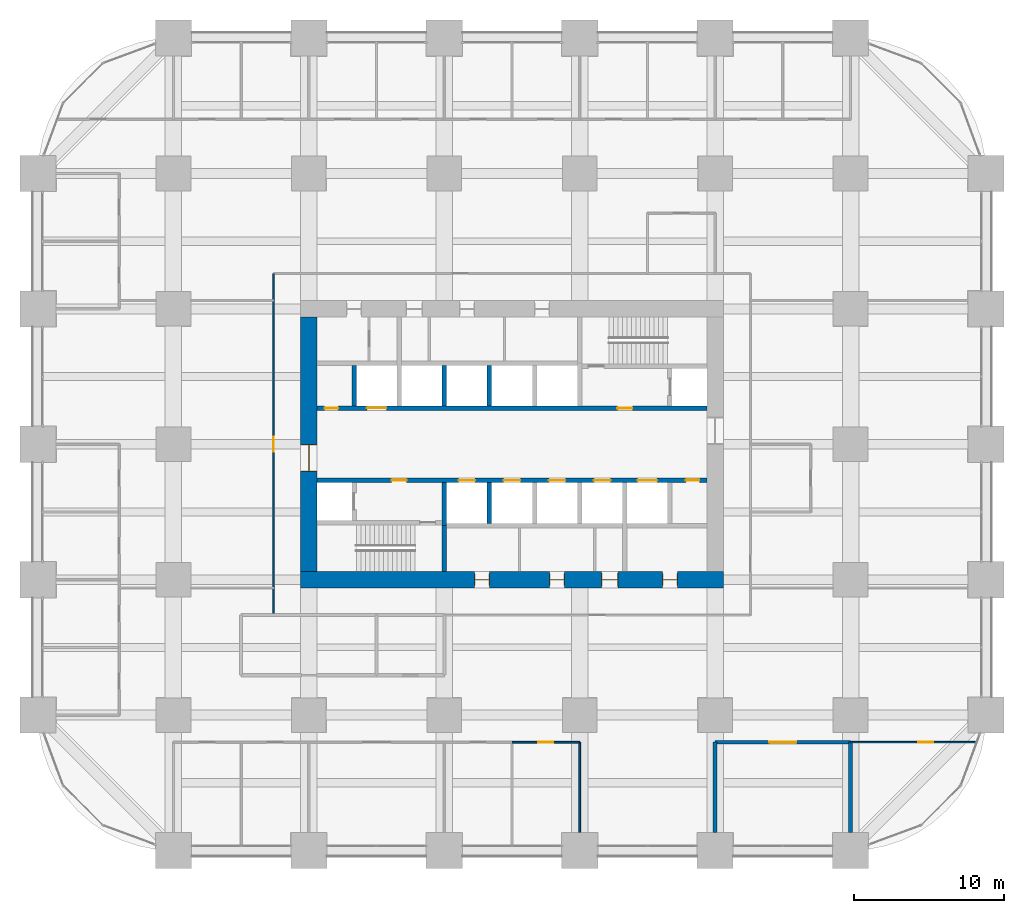
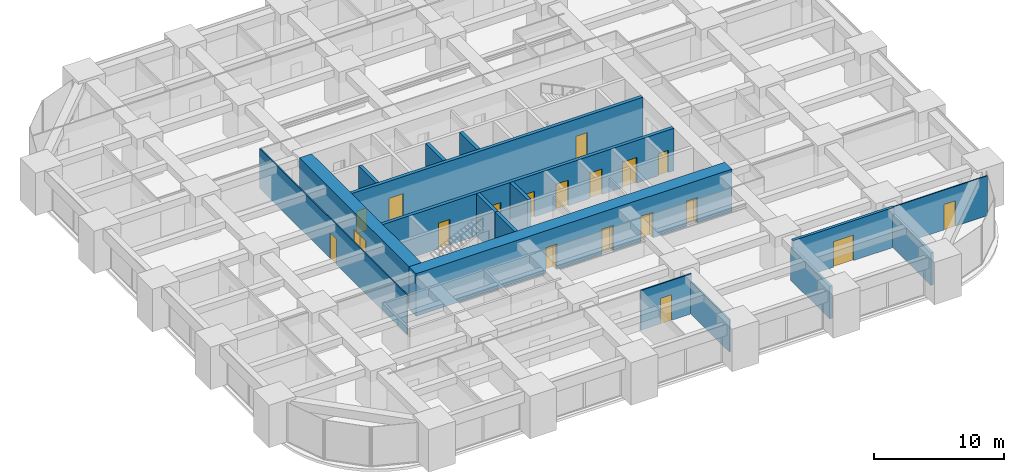
# One storey, part 40 of 44: 19 doors, 17 walls, 19 openings.
"""IFC4 building model written with IfcOpenShell, lengths in metres."""

from ifc_helpers import new_model, si_unit, direction, frame, frame_2d, origin, place, context, subcontext, project, spatial, rectangle, extrude, material, layer, layer_set, type_object, element, fill, save


model = new_model("IFC4")

# Units and contexts
model_context = context("Model", 3, precision=1e-05, world=origin(), true_north=direction((0.0, 1.0)))
body_context = subcontext(model_context, "Body", "Model", "MODEL_VIEW")
ifc_project = project(units=[si_unit("LENGTHUNIT", "METRE"), si_unit("AREAUNIT", "SQUARE_METRE"), si_unit("VOLUMEUNIT", "CUBIC_METRE"), si_unit("PLANEANGLEUNIT", "RADIAN"), si_unit("MASSUNIT", "GRAM", prefix="KILO")], contexts=[model_context])

# Site, building, storey
site_placement = place(None, origin())
site = spatial("IfcSite", under=ifc_project, at=site_placement, CompositionType="ELEMENT")
building_placement = place(site_placement, origin())
building = spatial("IfcBuilding", under=site, at=building_placement, Name="Zorevar Civic Tower", CompositionType="ELEMENT")
storey_placement = place(building_placement, frame((0.0, 0.0, 35.800048828125)))
storey = spatial("IfcBuildingStorey", under=building, at=storey_placement, Name="L08", CompositionType="ELEMENT", Elevation=35.800048828125)

# Wall, opening, door
ifc_material_1 = material(Name="Twin-stud acoustic wall, gypsum board")
ifc_layer_1 = layer(ifc_material_1, 0.25)
ifc_layer_set_1 = layer_set([ifc_layer_1], Name="Acoustic wall 250")
wall_type_1 = type_object("IfcWallType", Name="Acoustic wall 250", PredefinedType="PARTITIONING", material=ifc_layer_set_1)
wall_1_placement = place(storey_placement, frame((45.0, 7.199951171875, 0.0), z_axis=(0.0, 0.0, 1.0), x_axis=(1.0, 0.0, 0.0)))
wall_1 = element("IfcWall", 1, at=wall_1_placement, inside=storey, type_object=wall_type_1, Name="Acoustic wall 250 L08", PredefinedType="PARTITIONING", context=body_context, shape_type="SweptSolid", body=[
    extrude(rectangle(XDim=9.0, YDim=0.25, at=frame_2d((4.5, 0.0))), origin(), (0.0, 0.0, 1.0), 3.75),
])
opening_1_placement = place(wall_1_placement, frame((3.60009765625, 0.0, 0.0)))
opening_1 = element("IfcOpeningElement", 2, at=opening_1_placement, cuts=wall_1, Name="Opening L08.17", PredefinedType="OPENING", context=body_context, shape_type="SweptSolid", body=[
    extrude(rectangle(XDim=1.800048828125, YDim=2.39990234375, at=frame_2d((0.89990234375, 1.199951171875))), frame((0.0, 0.135009765625, 0.0), z_axis=(0.0, -1.0, 0.0), x_axis=(1.0, 0.0, 0.0)), (0.0, 0.0, 1.0), 0.27001953125),
])
ifc_material_2 = material(Name="Steel door set", Category="steel")
door_type_1 = type_object("IfcDoorType", Name="Door D2 1800x2400", OperationType="DOUBLE_DOOR_SINGLE_SWING", PredefinedType="DOOR", material=ifc_material_2)
door_1_placement = place(opening_1_placement, origin())
door_1 = element("IfcDoor", 3, at=door_1_placement, inside=storey, type_object=door_type_1, Name="Door L08 D1", OperationType="DOUBLE_DOOR_SINGLE_SWING", OverallHeight=2.39990234375, OverallWidth=1.800048828125, PredefinedType="DOOR", context=body_context, shape_type="SweptSolid", body=[
    extrude(rectangle(XDim=1.800048828125, YDim=2.39990234375, at=frame_2d((0.89990234375, 1.199951171875))), frame((0.0, 0.02490234375, 0.0), z_axis=(0.0, -1.0, 0.0), x_axis=(1.0, 0.0, 0.0)), (0.0, 0.0, 1.0), 0.050048828125),
])
fill(opening_1, door_1)

# Walls
for number, where, z_axis, x_axis, name in (
    (4, (45.0, 1.199951171875, 0.0), (0.0, 0.0, 1.0), (0.0, 1.0, 0.0), "Acoustic wall 250 L08"),
    (5, (54.0, 1.199951171875, 0.0), (0.0, 0.0, 1.0), (0.0, 1.0, 0.0), "Acoustic wall 250 L08"),
):
    element("IfcWall", number, at=place(storey_placement, frame(where, z_axis=z_axis, x_axis=x_axis)), inside=storey, type_object=wall_type_1, Name=name, PredefinedType="PARTITIONING", context=body_context, shape_type="SweptSolid", body=[
        extrude(rectangle(XDim=6.0, YDim=0.25, at=frame_2d((3.0, 0.0))), origin(), (0.0, 0.0, 1.0), 3.050048828125),
    ])

# Wall, openings, doors
ifc_material_3 = material(Name="Concrete C50/60", Category="concrete")
ifc_layer_2 = layer(ifc_material_3, 1.10009765625)
ifc_layer_set_2 = layer_set([ifc_layer_2], Name="Core wall 1100")
wall_type_2 = type_object("IfcWallType", Name="Core wall 1100", PredefinedType="SHEAR", material=ifc_layer_set_2)
wall_2_placement = place(storey_placement, frame((17.449951171875, 18.0, 0.0), z_axis=(0.0, 0.0, 1.0), x_axis=(1.0, 0.0, 0.0)))
wall_2 = element("IfcWall", 6, at=wall_2_placement, inside=storey, type_object=wall_type_2, Name="Core wall S L08", PredefinedType="SHEAR", context=body_context, shape_type="SweptSolid", body=[
    extrude(rectangle(XDim=28.10009765625, YDim=1.10009765625, at=frame_2d((14.050048828125, 0.0))), origin(), (0.0, 0.0, 1.0), 4.0),
])
opening_2_placement = place(wall_2_placement, frame((11.550048828125, 0.0, 0.0)))
opening_2 = element("IfcOpeningElement", 7, at=opening_2_placement, cuts=wall_2, Name="Opening L08.03", PredefinedType="OPENING", context=body_context, shape_type="SweptSolid", body=[
    extrude(rectangle(XDim=1.0, YDim=2.39990234375, at=frame_2d((0.5, 1.199951171875))), frame((0.0, 0.56005859375, 0.0), z_axis=(0.0, -1.0, 0.0), x_axis=(1.0, 0.0, 0.0)), (0.0, 0.0, 1.0), 1.1201171875),
])
opening_3_placement = place(wall_2_placement, frame((16.550048828125, 0.0, 0.0)))
opening_3 = element("IfcOpeningElement", 8, at=opening_3_placement, cuts=wall_2, Name="Opening L08.04", PredefinedType="OPENING", context=body_context, shape_type="SweptSolid", body=[
    extrude(rectangle(XDim=1.0, YDim=2.39990234375, at=frame_2d((0.5, 1.199951171875))), frame((0.0, 0.56005859375, 0.0), z_axis=(0.0, -1.0, 0.0), x_axis=(1.0, 0.0, 0.0)), (0.0, 0.0, 1.0), 1.1201171875),
])
opening_4_placement = place(wall_2_placement, frame((20.0, 0.0, 0.0)))
opening_4 = element("IfcOpeningElement", 9, at=opening_4_placement, cuts=wall_2, Name="Opening L08.05", PredefinedType="OPENING", context=body_context, shape_type="SweptSolid", body=[
    extrude(rectangle(XDim=1.10009765625, YDim=2.39990234375, at=frame_2d((0.550048828125, 1.199951171875))), frame((0.0, 0.56005859375, 0.0), z_axis=(0.0, -1.0, 0.0), x_axis=(1.0, 0.0, 0.0)), (0.0, 0.0, 1.0), 1.1201171875),
])
opening_5_placement = place(wall_2_placement, frame((24.050048828125, 0.0, 0.0)))
opening_5 = element("IfcOpeningElement", 10, at=opening_5_placement, cuts=wall_2, Name="Opening L08.06", PredefinedType="OPENING", context=body_context, shape_type="SweptSolid", body=[
    extrude(rectangle(XDim=1.0, YDim=2.39990234375, at=frame_2d((0.5, 1.199951171875))), frame((0.0, 0.56005859375, 0.0), z_axis=(0.0, -1.0, 0.0), x_axis=(1.0, 0.0, 0.0)), (0.0, 0.0, 1.0), 1.1201171875),
])
ifc_material_4 = material(Name="Timber door set", Category="wood")
door_type_2 = type_object("IfcDoorType", Name="Door D1 1000x2400", OperationType="SINGLE_SWING_LEFT", PredefinedType="DOOR", material=ifc_material_4)
door_2_placement = place(opening_2_placement, origin())
door_2 = element("IfcDoor", 11, at=door_2_placement, inside=storey, type_object=door_type_2, Name="Door L08 02", OperationType="SINGLE_SWING_RIGHT", OverallHeight=2.39990234375, OverallWidth=1.0, PredefinedType="DOOR", context=body_context, shape_type="SweptSolid", body=[
    extrude(rectangle(XDim=1.0, YDim=2.39990234375, at=frame_2d((0.5, 1.199951171875))), frame((0.0, 0.02490234375, 0.0), z_axis=(0.0, -1.0, 0.0), x_axis=(1.0, 0.0, 0.0)), (0.0, 0.0, 1.0), 0.050048828125),
    extrude(rectangle(XDim=0.04, YDim=2.39990234375, at=frame_2d((0.02001953125, 1.199951171875))), frame((0.0, 0.39990234375, 0.0), z_axis=(0.0, -1.0, 0.0), x_axis=(1.0, 0.0, 0.0)), (0.0, 0.0, 1.0), 0.800048828125),
    extrude(rectangle(XDim=0.04, YDim=2.39990234375, at=frame_2d((0.97998046875, 1.199951171875))), frame((0.0, 0.39990234375, 0.0), z_axis=(0.0, -1.0, 0.0), x_axis=(1.0, 0.0, 0.0)), (0.0, 0.0, 1.0), 0.800048828125),
    extrude(rectangle(XDim=1.0, YDim=0.04, at=frame_2d((0.5, 2.3798828125))), frame((0.0, 0.39990234375, 0.0), z_axis=(0.0, -1.0, 0.0), x_axis=(1.0, 0.0, 0.0)), (0.0, 0.0, 1.0), 0.800048828125),
])
fill(opening_2, door_2)
door_3_placement = place(opening_3_placement, origin())
door_3 = element("IfcDoor", 12, at=door_3_placement, inside=storey, type_object=door_type_2, Name="Door L08 03", OperationType="SINGLE_SWING_LEFT", OverallHeight=2.39990234375, OverallWidth=1.0, PredefinedType="DOOR", context=body_context, shape_type="SweptSolid", body=[
    extrude(rectangle(XDim=1.0, YDim=2.39990234375, at=frame_2d((0.5, 1.199951171875))), frame((0.0, 0.02490234375, 0.0), z_axis=(0.0, -1.0, 0.0), x_axis=(1.0, 0.0, 0.0)), (0.0, 0.0, 1.0), 0.050048828125),
    extrude(rectangle(XDim=0.04, YDim=2.39990234375, at=frame_2d((0.02001953125, 1.199951171875))), frame((0.0, 0.39990234375, 0.0), z_axis=(0.0, -1.0, 0.0), x_axis=(1.0, 0.0, 0.0)), (0.0, 0.0, 1.0), 0.800048828125),
    extrude(rectangle(XDim=0.04, YDim=2.39990234375, at=frame_2d((0.97998046875, 1.199951171875))), frame((0.0, 0.39990234375, 0.0), z_axis=(0.0, -1.0, 0.0), x_axis=(1.0, 0.0, 0.0)), (0.0, 0.0, 1.0), 0.800048828125),
    extrude(rectangle(XDim=1.0, YDim=0.04, at=frame_2d((0.5, 2.3798828125))), frame((0.0, 0.39990234375, 0.0), z_axis=(0.0, -1.0, 0.0), x_axis=(1.0, 0.0, 0.0)), (0.0, 0.0, 1.0), 0.800048828125),
])
fill(opening_3, door_3)
door_4_placement = place(opening_5_placement, origin())
door_4 = element("IfcDoor", 13, at=door_4_placement, inside=storey, type_object=door_type_2, Name="Door L08 05", OperationType="SINGLE_SWING_LEFT", OverallHeight=2.39990234375, OverallWidth=1.0, PredefinedType="DOOR", context=body_context, shape_type="SweptSolid", body=[
    extrude(rectangle(XDim=1.0, YDim=2.39990234375, at=frame_2d((0.5, 1.199951171875))), frame((0.0, 0.02490234375, 0.0), z_axis=(0.0, -1.0, 0.0), x_axis=(1.0, 0.0, 0.0)), (0.0, 0.0, 1.0), 0.050048828125),
    extrude(rectangle(XDim=0.04, YDim=2.39990234375, at=frame_2d((0.02001953125, 1.199951171875))), frame((0.0, 0.39990234375, 0.0), z_axis=(0.0, -1.0, 0.0), x_axis=(1.0, 0.0, 0.0)), (0.0, 0.0, 1.0), 0.800048828125),
    extrude(rectangle(XDim=0.04, YDim=2.39990234375, at=frame_2d((0.97998046875, 1.199951171875))), frame((0.0, 0.39990234375, 0.0), z_axis=(0.0, -1.0, 0.0), x_axis=(1.0, 0.0, 0.0)), (0.0, 0.0, 1.0), 0.800048828125),
    extrude(rectangle(XDim=1.0, YDim=0.04, at=frame_2d((0.5, 2.3798828125))), frame((0.0, 0.39990234375, 0.0), z_axis=(0.0, -1.0, 0.0), x_axis=(1.0, 0.0, 0.0)), (0.0, 0.0, 1.0), 0.800048828125),
])
fill(opening_5, door_4)
ifc_material_5 = material(Name="Timber door set", Category="wood")
door_type_3 = type_object("IfcDoorType", Name="Door D5 1100x2400", OperationType="SINGLE_SWING_LEFT", PredefinedType="DOOR", material=ifc_material_5)
door_5_placement = place(opening_4_placement, origin())
door_5 = element("IfcDoor", 14, at=door_5_placement, inside=storey, type_object=door_type_3, Name="Door L08 04", OperationType="SINGLE_SWING_LEFT", OverallHeight=2.39990234375, OverallWidth=1.10009765625, PredefinedType="DOOR", context=body_context, shape_type="SweptSolid", body=[
    extrude(rectangle(XDim=1.10009765625, YDim=2.39990234375, at=frame_2d((0.550048828125, 1.199951171875))), frame((0.0, 0.02490234375, 0.0), z_axis=(0.0, -1.0, 0.0), x_axis=(1.0, 0.0, 0.0)), (0.0, 0.0, 1.0), 0.050048828125),
    extrude(rectangle(XDim=0.04, YDim=2.39990234375, at=frame_2d((0.02001953125, 1.199951171875))), frame((0.0, 0.43994140625, 0.0), z_axis=(0.0, -1.0, 0.0), x_axis=(1.0, 0.0, 0.0)), (0.0, 0.0, 1.0), 0.880126953125),
    extrude(rectangle(XDim=0.04, YDim=2.39990234375, at=frame_2d((1.080078125, 1.199951171875))), frame((0.0, 0.43994140625, 0.0), z_axis=(0.0, -1.0, 0.0), x_axis=(1.0, 0.0, 0.0)), (0.0, 0.0, 1.0), 0.880126953125),
    extrude(rectangle(XDim=1.10009765625, YDim=0.04, at=frame_2d((0.550048828125, 2.3798828125))), frame((0.0, 0.43994140625, 0.0), z_axis=(0.0, -1.0, 0.0), x_axis=(1.0, 0.0, 0.0)), (0.0, 0.0, 1.0), 0.880126953125),
])
fill(opening_4, door_5)

# Wall, opening, door
wall_3_placement = place(storey_placement, frame((18.0, 35.449951171875, 0.0), z_axis=(0.0, 0.0, 1.0), x_axis=(0.0, -1.0, 0.0)))
wall_3 = element("IfcWall", 15, at=wall_3_placement, inside=storey, type_object=wall_type_2, Name="Core wall W L08", PredefinedType="SHEAR", context=body_context, shape_type="SweptSolid", body=[
    extrude(rectangle(XDim=16.89990234375, YDim=1.10009765625, at=frame_2d((8.449951171875, 0.0))), origin(), (0.0, 0.0, 1.0), 4.0),
])
opening_6_placement = place(wall_3_placement, frame((8.449951171875, 0.0, 0.0)))
opening_6 = element("IfcOpeningElement", 16, at=opening_6_placement, cuts=wall_3, Name="Opening L08.01", PredefinedType="OPENING", context=body_context, shape_type="SweptSolid", body=[
    extrude(rectangle(XDim=1.800048828125, YDim=2.39990234375, at=frame_2d((0.89990234375, 1.199951171875))), frame((0.0, 0.56005859375, 0.0), z_axis=(0.0, -1.0, 0.0), x_axis=(1.0, 0.0, 0.0)), (0.0, 0.0, 1.0), 1.1201171875),
])
ifc_material_6 = material(Name="Steel door set", Category="steel")
door_type_4 = type_object("IfcDoorType", Name="Fire door FD2 1800x2400", OperationType="DOUBLE_DOOR_DOUBLE_SWING", PredefinedType="DOOR", material=ifc_material_6)
door_6_placement = place(opening_6_placement, origin())
door_6 = element("IfcDoor", 17, at=door_6_placement, inside=storey, type_object=door_type_4, Name="Door L08 00", OperationType="DOUBLE_DOOR_DOUBLE_SWING", OverallHeight=2.39990234375, OverallWidth=1.800048828125, PredefinedType="DOOR", context=body_context, shape_type="SweptSolid", body=[
    extrude(rectangle(XDim=1.800048828125, YDim=2.39990234375, at=frame_2d((0.89990234375, 1.199951171875))), frame((0.0, 0.030029296875, 0.0), z_axis=(0.0, -1.0, 0.0), x_axis=(1.0, 0.0, 0.0)), (0.0, 0.0, 1.0), 0.06005859375),
    extrude(rectangle(XDim=0.04, YDim=2.39990234375, at=frame_2d((0.02001953125, 1.199951171875))), frame((0.0, 0.5498046875, 0.0), z_axis=(0.0, -1.0, 0.0), x_axis=(1.0, 0.0, 0.0)), (0.0, 0.0, 1.0), 1.099609375),
    extrude(rectangle(XDim=0.04, YDim=2.39990234375, at=frame_2d((1.780029296875, 1.199951171875))), frame((0.0, 0.5498046875, 0.0), z_axis=(0.0, -1.0, 0.0), x_axis=(1.0, 0.0, 0.0)), (0.0, 0.0, 1.0), 1.099609375),
    extrude(rectangle(XDim=1.800048828125, YDim=0.04, at=frame_2d((0.89990234375, 2.3798828125))), frame((0.0, 0.5498046875, 0.0), z_axis=(0.0, -1.0, 0.0), x_axis=(1.0, 0.0, 0.0)), (0.0, 0.0, 1.0), 1.099609375),
])
fill(opening_6, door_6)

ifc_material_7 = material(Name="Laminated glass in black aluminium frame", Category="aluminium")
ifc_layer_3 = layer(ifc_material_7, 0.10009765625)
ifc_layer_set_3 = layer_set([ifc_layer_3], Name="Glazed partition 100")
wall_type_3 = type_object("IfcWallType", Name="Glazed partition 100", PredefinedType="PARTITIONING", material=ifc_layer_set_3)
wall_4_placement = place(storey_placement, frame((54.0, 7.199951171875, 0.0), z_axis=(0.0, 0.0, 1.0), x_axis=(1.0, 0.0, 0.0)))
wall_4 = element("IfcWall", 18, at=wall_4_placement, inside=storey, type_object=wall_type_3, Name="Glazed partition 100 L08", PredefinedType="PARTITIONING", context=body_context, shape_type="SweptSolid", body=[
    extrude(rectangle(XDim=8.359375, YDim=0.10009765625, at=frame_2d((4.1796875, 0.0))), origin(), (0.0, 0.0, 1.0), 3.75),
])
opening_7_placement = place(wall_4_placement, frame((4.5, 0.0, 0.0)))
opening_7 = element("IfcOpeningElement", 19, at=opening_7_placement, cuts=wall_4, Name="Opening L08.23", PredefinedType="OPENING", context=body_context, shape_type="SweptSolid", body=[
    extrude(rectangle(XDim=1.0, YDim=2.39990234375, at=frame_2d((0.5, 1.199951171875))), frame((0.0, 0.06005859375, 0.0), z_axis=(0.0, -1.0, 0.0), x_axis=(1.0, 0.0, 0.0)), (0.0, 0.0, 1.0), 0.1201171875),
])
ifc_material_8 = material(Name="Timber door set", Category="wood")
door_type_5 = type_object("IfcDoorType", Name="Glazed door GD1 1000x2400", OperationType="SINGLE_SWING_LEFT", PredefinedType="DOOR", material=ifc_material_8)
door_7_placement = place(opening_7_placement, origin())
door_7 = element("IfcDoor", 20, at=door_7_placement, inside=storey, type_object=door_type_5, Name="Door L08 D1", OperationType="SINGLE_SWING_LEFT", OverallHeight=2.39990234375, OverallWidth=1.0, PredefinedType="DOOR", context=body_context, shape_type="SweptSolid", body=[
    extrude(rectangle(XDim=1.0, YDim=2.39990234375, at=frame_2d((0.5, 1.199951171875))), frame((0.0, 0.02001953125, 0.0), z_axis=(0.0, -1.0, 0.0), x_axis=(1.0, 0.0, 0.0)), (0.0, 0.0, 1.0), 0.0400390625),
])
fill(opening_7, door_7)

wall_5_placement = place(storey_placement, frame((15.64990234375, 15.64990234375, 0.0), z_axis=(0.0, 0.0, 1.0), x_axis=(0.0, 1.0, 0.0)))
wall_5 = element("IfcWall", 21, at=wall_5_placement, inside=storey, type_object=wall_type_3, Name="Glazed partition 100 L08", PredefinedType="PARTITIONING", context=body_context, shape_type="SweptSolid", body=[
    extrude(rectangle(XDim=22.7001953125, YDim=0.10009765625, at=frame_2d((11.35009765625, 0.0))), origin(), (0.0, 0.0, 1.0), 3.75),
])
opening_8_placement = place(wall_5_placement, frame((10.85009765625, 0.0, 0.0)))
opening_8 = element("IfcOpeningElement", 22, at=opening_8_placement, cuts=wall_5, Name="Opening L08.46", PredefinedType="OPENING", context=body_context, shape_type="SweptSolid", body=[
    extrude(rectangle(XDim=1.0, YDim=2.39990234375, at=frame_2d((0.5, 1.199951171875))), frame((0.0, 0.06005859375, 0.0), z_axis=(0.0, -1.0, 0.0), x_axis=(1.0, 0.0, 0.0)), (0.0, 0.0, 1.0), 0.1201171875),
])
door_8_placement = place(opening_8_placement, origin())
door_8 = element("IfcDoor", 23, at=door_8_placement, inside=storey, type_object=door_type_5, Name="Door L08 D1", OperationType="SINGLE_SWING_RIGHT", OverallHeight=2.39990234375, OverallWidth=1.0, PredefinedType="DOOR", context=body_context, shape_type="SweptSolid", body=[
    extrude(rectangle(XDim=1.0, YDim=2.39990234375, at=frame_2d((0.5, 1.199951171875))), frame((0.0, 0.02001953125, 0.0), z_axis=(0.0, -1.0, 0.0), x_axis=(1.0, 0.0, 0.0)), (0.0, 0.0, 1.0), 0.0400390625),
])
fill(opening_8, door_8)

# Wall
ifc_material_9 = material(Name="Concrete C40/50", Category="concrete")
ifc_layer_4 = layer(ifc_material_9, 0.300048828125)
ifc_layer_set_4 = layer_set([ifc_layer_4], Name="Inner core wall 300")
wall_type_4 = type_object("IfcWallType", Name="Inner core wall 300", PredefinedType="SHEAR", material=ifc_layer_set_4)
wall_6_placement = place(storey_placement, frame((27.0, 18.550048828125, 0.0), z_axis=(0.0, 0.0, 1.0), x_axis=(0.0, 1.0, 0.0)))
element("IfcWall", 24, at=wall_6_placement, inside=storey, type_object=wall_type_4, Name="Inner core wall S01 L08", PredefinedType="SHEAR", context=body_context, shape_type="SweptSolid", body=[
    extrude(rectangle(XDim=3.050048828125, YDim=0.300048828125, at=frame_2d((1.52490234375, 0.0))), origin(), (0.0, 0.0, 1.0), 4.0),
])

# Wall, openings, doors
wall_7_placement = place(storey_placement, frame((18.550048828125, 24.60009765625, 0.0), z_axis=(0.0, 0.0, 1.0), x_axis=(1.0, 0.0, 0.0)))
wall_7 = element("IfcWall", 25, at=wall_7_placement, inside=storey, type_object=wall_type_4, Name="Inner core wall S03 L08", PredefinedType="SHEAR", context=body_context, shape_type="SweptSolid", body=[
    extrude(rectangle(XDim=25.89990234375, YDim=0.300048828125, at=frame_2d((12.949951171875, 0.0))), origin(), (0.0, 0.0, 1.0), 4.0),
])
opening_9_placement = place(wall_7_placement, frame((4.949951171875, 0.0, 0.0)))
opening_9 = element("IfcOpeningElement", 26, at=opening_9_placement, cuts=wall_7, Name="Opening L08.13", PredefinedType="OPENING", context=body_context, shape_type="SweptSolid", body=[
    extrude(rectangle(XDim=1.0, YDim=2.39990234375, at=frame_2d((0.5, 1.199951171875))), frame((0.0, 0.159912109375, 0.0), z_axis=(0.0, -1.0, 0.0), x_axis=(1.0, 0.0, 0.0)), (0.0, 0.0, 1.0), 0.320068359375),
])
opening_10_placement = place(wall_7_placement, frame((24.5, 0.0, 0.0)))
opening_10 = element("IfcOpeningElement", 27, at=opening_10_placement, cuts=wall_7, Name="Opening L08.15", PredefinedType="OPENING", context=body_context, shape_type="SweptSolid", body=[
    extrude(rectangle(XDim=0.89990234375, YDim=2.10009765625, at=frame_2d((0.449951171875, 1.050048828125))), frame((0.0, 0.159912109375, 0.0), z_axis=(0.0, -1.0, 0.0), x_axis=(1.0, 0.0, 0.0)), (0.0, 0.0, 1.0), 0.320068359375),
])
opening_11_placement = place(wall_7_placement, frame((9.39990234375, 0.0, 0.0)))
opening_11 = element("IfcOpeningElement", 28, at=opening_11_placement, cuts=wall_7, Name="Opening L08.LP1", PredefinedType="OPENING", context=body_context, shape_type="SweptSolid", body=[
    extrude(rectangle(XDim=1.10009765625, YDim=2.39990234375, at=frame_2d((0.550048828125, 1.199951171875))), frame((0.0, 0.159912109375, 0.0), z_axis=(0.0, -1.0, 0.0), x_axis=(1.0, 0.0, 0.0)), (0.0, 0.0, 1.0), 0.320068359375),
])
opening_12_placement = place(wall_7_placement, frame((12.39990234375, 0.0, 0.0)))
opening_12 = element("IfcOpeningElement", 29, at=opening_12_placement, cuts=wall_7, Name="Opening L08.LP2", PredefinedType="OPENING", context=body_context, shape_type="SweptSolid", body=[
    extrude(rectangle(XDim=1.10009765625, YDim=2.39990234375, at=frame_2d((0.550048828125, 1.199951171875))), frame((0.0, 0.159912109375, 0.0), z_axis=(0.0, -1.0, 0.0), x_axis=(1.0, 0.0, 0.0)), (0.0, 0.0, 1.0), 0.320068359375),
])
opening_13_placement = place(wall_7_placement, frame((15.39990234375, 0.0, 0.0)))
opening_13 = element("IfcOpeningElement", 30, at=opening_13_placement, cuts=wall_7, Name="Opening L08.LP3", PredefinedType="OPENING", context=body_context, shape_type="SweptSolid", body=[
    extrude(rectangle(XDim=1.10009765625, YDim=2.39990234375, at=frame_2d((0.550048828125, 1.199951171875))), frame((0.0, 0.159912109375, 0.0), z_axis=(0.0, -1.0, 0.0), x_axis=(1.0, 0.0, 0.0)), (0.0, 0.0, 1.0), 0.320068359375),
])
opening_14_placement = place(wall_7_placement, frame((18.39990234375, 0.0, 0.0)))
opening_14 = element("IfcOpeningElement", 31, at=opening_14_placement, cuts=wall_7, Name="Opening L08.LP4", PredefinedType="OPENING", context=body_context, shape_type="SweptSolid", body=[
    extrude(rectangle(XDim=1.10009765625, YDim=2.39990234375, at=frame_2d((0.550048828125, 1.199951171875))), frame((0.0, 0.159912109375, 0.0), z_axis=(0.0, -1.0, 0.0), x_axis=(1.0, 0.0, 0.0)), (0.0, 0.0, 1.0), 0.320068359375),
])
opening_15_placement = place(wall_7_placement, frame((21.300048828125, 0.0, 0.0)))
opening_15 = element("IfcOpeningElement", 32, at=opening_15_placement, cuts=wall_7, Name="Opening L08.SL1", PredefinedType="OPENING", context=body_context, shape_type="SweptSolid", body=[
    extrude(rectangle(XDim=1.300048828125, YDim=2.39990234375, at=frame_2d((0.64990234375, 1.199951171875))), frame((0.0, 0.159912109375, 0.0), z_axis=(0.0, -1.0, 0.0), x_axis=(1.0, 0.0, 0.0)), (0.0, 0.0, 1.0), 0.320068359375),
])
ifc_material_10 = material(Name="Steel door set", Category="steel")
door_type_6 = type_object("IfcDoorType", Name="Fire door FD1 1000x2400", OperationType="SINGLE_SWING_LEFT", PredefinedType="DOOR", material=ifc_material_10)
door_9_placement = place(opening_9_placement, origin())
door_9 = element("IfcDoor", 33, at=door_9_placement, inside=storey, type_object=door_type_6, Name="Door L08 12", OperationType="SINGLE_SWING_RIGHT", OverallHeight=2.39990234375, OverallWidth=1.0, PredefinedType="DOOR", context=body_context, shape_type="SweptSolid", body=[
    extrude(rectangle(XDim=1.0, YDim=2.39990234375, at=frame_2d((0.5, 1.199951171875))), frame((0.0, 0.030029296875, 0.0), z_axis=(0.0, -1.0, 0.0), x_axis=(1.0, 0.0, 0.0)), (0.0, 0.0, 1.0), 0.06005859375),
])
fill(opening_9, door_9)
ifc_material_11 = material(Name="Steel door set", Category="steel")
door_type_7 = type_object("IfcDoorType", Name="Landing door LD1 1100x2400", OperationType="DOUBLE_DOOR_SLIDING", PredefinedType="DOOR", material=ifc_material_11)
door_10_placement = place(opening_11_placement, origin())
door_10 = element("IfcDoor", 34, at=door_10_placement, inside=storey, type_object=door_type_7, Name="Landing door LP1 L08", OperationType="DOUBLE_DOOR_SLIDING", OverallHeight=2.39990234375, OverallWidth=1.10009765625, PredefinedType="DOOR", context=body_context, shape_type="SweptSolid", body=[
    extrude(rectangle(XDim=1.10009765625, YDim=2.39990234375, at=frame_2d((0.550048828125, 1.199951171875))), frame((0.0, 0.02001953125, 0.0), z_axis=(0.0, -1.0, 0.0), x_axis=(1.0, 0.0, 0.0)), (0.0, 0.0, 1.0), 0.0400390625),
])
fill(opening_11, door_10)
door_11_placement = place(opening_12_placement, origin())
door_11 = element("IfcDoor", 35, at=door_11_placement, inside=storey, type_object=door_type_7, Name="Landing door LP2 L08", OperationType="DOUBLE_DOOR_SLIDING", OverallHeight=2.39990234375, OverallWidth=1.10009765625, PredefinedType="DOOR", context=body_context, shape_type="SweptSolid", body=[
    extrude(rectangle(XDim=1.10009765625, YDim=2.39990234375, at=frame_2d((0.550048828125, 1.199951171875))), frame((0.0, 0.02001953125, 0.0), z_axis=(0.0, -1.0, 0.0), x_axis=(1.0, 0.0, 0.0)), (0.0, 0.0, 1.0), 0.0400390625),
])
fill(opening_12, door_11)
door_12_placement = place(opening_13_placement, origin())
door_12 = element("IfcDoor", 36, at=door_12_placement, inside=storey, type_object=door_type_7, Name="Landing door LP3 L08", OperationType="DOUBLE_DOOR_SLIDING", OverallHeight=2.39990234375, OverallWidth=1.10009765625, PredefinedType="DOOR", context=body_context, shape_type="SweptSolid", body=[
    extrude(rectangle(XDim=1.10009765625, YDim=2.39990234375, at=frame_2d((0.550048828125, 1.199951171875))), frame((0.0, 0.02001953125, 0.0), z_axis=(0.0, -1.0, 0.0), x_axis=(1.0, 0.0, 0.0)), (0.0, 0.0, 1.0), 0.0400390625),
])
fill(opening_13, door_12)
door_13_placement = place(opening_14_placement, origin())
door_13 = element("IfcDoor", 37, at=door_13_placement, inside=storey, type_object=door_type_7, Name="Landing door LP4 L08", OperationType="DOUBLE_DOOR_SLIDING", OverallHeight=2.39990234375, OverallWidth=1.10009765625, PredefinedType="DOOR", context=body_context, shape_type="SweptSolid", body=[
    extrude(rectangle(XDim=1.10009765625, YDim=2.39990234375, at=frame_2d((0.550048828125, 1.199951171875))), frame((0.0, 0.02001953125, 0.0), z_axis=(0.0, -1.0, 0.0), x_axis=(1.0, 0.0, 0.0)), (0.0, 0.0, 1.0), 0.0400390625),
])
fill(opening_14, door_13)
ifc_material_12 = material(Name="Steel door set", Category="steel")
door_type_8 = type_object("IfcDoorType", Name="Landing door LD2 1300x2400", OperationType="DOUBLE_DOOR_SLIDING", PredefinedType="DOOR", material=ifc_material_12)
door_14_placement = place(opening_15_placement, origin())
door_14 = element("IfcDoor", 38, at=door_14_placement, inside=storey, type_object=door_type_8, Name="Landing door SL1 L08", OperationType="DOUBLE_DOOR_SLIDING", OverallHeight=2.39990234375, OverallWidth=1.300048828125, PredefinedType="DOOR", context=body_context, shape_type="SweptSolid", body=[
    extrude(rectangle(XDim=1.300048828125, YDim=2.39990234375, at=frame_2d((0.64990234375, 1.199951171875))), frame((0.0, 0.02001953125, 0.0), z_axis=(0.0, -1.0, 0.0), x_axis=(1.0, 0.0, 0.0)), (0.0, 0.0, 1.0), 0.0400390625),
])
fill(opening_15, door_14)
ifc_material_13 = material(Name="Steel door set", Category="steel")
door_type_9 = type_object("IfcDoorType", Name="Riser door RD1 900x2100", OperationType="SINGLE_SWING_LEFT", PredefinedType="DOOR", material=ifc_material_13)
door_15_placement = place(opening_10_placement, origin())
door_15 = element("IfcDoor", 39, at=door_15_placement, inside=storey, type_object=door_type_9, Name="Door L08 14", OperationType="SINGLE_SWING_RIGHT", OverallHeight=2.10009765625, OverallWidth=0.89990234375, PredefinedType="DOOR", context=body_context, shape_type="SweptSolid", body=[
    extrude(rectangle(XDim=0.89990234375, YDim=2.10009765625, at=frame_2d((0.449951171875, 1.050048828125))), frame((0.0, 0.030029296875, 0.0), z_axis=(0.0, -1.0, 0.0), x_axis=(1.0, 0.0, 0.0)), (0.0, 0.0, 1.0), 0.06005859375),
])
fill(opening_10, door_15)

wall_8_placement = place(storey_placement, frame((18.550048828125, 29.39990234375, 0.0), z_axis=(0.0, 0.0, 1.0), x_axis=(1.0, 0.0, 0.0)))
wall_8 = element("IfcWall", 40, at=wall_8_placement, inside=storey, type_object=wall_type_4, Name="Inner core wall N03 L08", PredefinedType="SHEAR", context=body_context, shape_type="SweptSolid", body=[
    extrude(rectangle(XDim=25.89990234375, YDim=0.300048828125, at=frame_2d((12.949951171875, 0.0))), origin(), (0.0, 0.0, 1.0), 4.0),
])
opening_16_placement = place(wall_8_placement, frame((19.949951171875, 0.0, 0.0)))
opening_16 = element("IfcOpeningElement", 41, at=opening_16_placement, cuts=wall_8, Name="Opening L08.14", PredefinedType="OPENING", context=body_context, shape_type="SweptSolid", body=[
    extrude(rectangle(XDim=1.0, YDim=2.39990234375, at=frame_2d((0.5, 1.199951171875))), frame((0.0, 0.159912109375, 0.0), z_axis=(0.0, -1.0, 0.0), x_axis=(1.0, 0.0, 0.0)), (0.0, 0.0, 1.0), 0.320068359375),
])
opening_17_placement = place(wall_8_placement, frame((0.5, 0.0, 0.0)))
opening_17 = element("IfcOpeningElement", 42, at=opening_17_placement, cuts=wall_8, Name="Opening L08.16", PredefinedType="OPENING", context=body_context, shape_type="SweptSolid", body=[
    extrude(rectangle(XDim=0.89990234375, YDim=2.10009765625, at=frame_2d((0.449951171875, 1.050048828125))), frame((0.0, 0.159912109375, 0.0), z_axis=(0.0, -1.0, 0.0), x_axis=(1.0, 0.0, 0.0)), (0.0, 0.0, 1.0), 0.320068359375),
])
opening_18_placement = place(wall_8_placement, frame((3.300048828125, 0.0, 0.0)))
opening_18 = element("IfcOpeningElement", 43, at=opening_18_placement, cuts=wall_8, Name="Opening L08.SL2", PredefinedType="OPENING", context=body_context, shape_type="SweptSolid", body=[
    extrude(rectangle(XDim=1.300048828125, YDim=2.39990234375, at=frame_2d((0.64990234375, 1.199951171875))), frame((0.0, 0.159912109375, 0.0), z_axis=(0.0, -1.0, 0.0), x_axis=(1.0, 0.0, 0.0)), (0.0, 0.0, 1.0), 0.320068359375),
])
door_16_placement = place(opening_16_placement, origin())
door_16 = element("IfcDoor", 44, at=door_16_placement, inside=storey, type_object=door_type_6, Name="Door L08 13", OperationType="SINGLE_SWING_RIGHT", OverallHeight=2.39990234375, OverallWidth=1.0, PredefinedType="DOOR", context=body_context, shape_type="SweptSolid", body=[
    extrude(rectangle(XDim=1.0, YDim=2.39990234375, at=frame_2d((0.5, 1.199951171875))), frame((0.0, 0.030029296875, 0.0), z_axis=(0.0, -1.0, 0.0), x_axis=(1.0, 0.0, 0.0)), (0.0, 0.0, 1.0), 0.06005859375),
])
fill(opening_16, door_16)
door_17_placement = place(opening_18_placement, origin())
door_17 = element("IfcDoor", 45, at=door_17_placement, inside=storey, type_object=door_type_8, Name="Landing door SL2 L08", OperationType="DOUBLE_DOOR_SLIDING", OverallHeight=2.39990234375, OverallWidth=1.300048828125, PredefinedType="DOOR", context=body_context, shape_type="SweptSolid", body=[
    extrude(rectangle(XDim=1.300048828125, YDim=2.39990234375, at=frame_2d((0.64990234375, 1.199951171875))), frame((0.0, 0.02001953125, 0.0), z_axis=(0.0, -1.0, 0.0), x_axis=(1.0, 0.0, 0.0)), (0.0, 0.0, 1.0), 0.0400390625),
])
fill(opening_18, door_17)
door_18_placement = place(opening_17_placement, origin())
door_18 = element("IfcDoor", 46, at=door_18_placement, inside=storey, type_object=door_type_9, Name="Door L08 15", OperationType="SINGLE_SWING_RIGHT", OverallHeight=2.10009765625, OverallWidth=0.89990234375, PredefinedType="DOOR", context=body_context, shape_type="SweptSolid", body=[
    extrude(rectangle(XDim=0.89990234375, YDim=2.10009765625, at=frame_2d((0.449951171875, 1.050048828125))), frame((0.0, 0.030029296875, 0.0), z_axis=(0.0, -1.0, 0.0), x_axis=(1.0, 0.0, 0.0)), (0.0, 0.0, 1.0), 0.06005859375),
])
fill(opening_17, door_18)

# Walls
for number, where, z_axis, x_axis, name in (
    (47, (30.0, 21.75, 0.0), (0.0, 0.0, 1.0), (0.0, 1.0, 0.0), "Inner core wall S05 L08"),
    (48, (30.0, 29.550048828125, 0.0), (0.0, 0.0, 1.0), (0.0, 1.0, 0.0), "Inner core wall N06 L08"),
    (49, (27.0, 29.550048828125, 0.0), (0.0, 0.0, 1.0), (0.0, 1.0, 0.0), "Inner core wall N07 L08"),
    (50, (21.0, 29.550048828125, 0.0), (0.0, 0.0, 1.0), (0.0, 1.0, 0.0), "Inner core wall N09 L08"),
):
    element("IfcWall", number, at=place(storey_placement, frame(where, z_axis=z_axis, x_axis=x_axis)), inside=storey, type_object=wall_type_4, Name=name, PredefinedType="SHEAR", context=body_context, shape_type="SweptSolid", body=[
        extrude(rectangle(XDim=2.699951171875, YDim=0.300048828125, at=frame_2d((1.35009765625, 0.0))), origin(), (0.0, 0.0, 1.0), 4.0),
    ])
wall_9_placement = place(storey_placement, frame((27.0, 21.60009765625, 0.0), z_axis=(0.0, 0.0, 1.0), x_axis=(0.0, 1.0, 0.0)))
element("IfcWall", 51, at=wall_9_placement, inside=storey, type_object=wall_type_4, Name="Inner core wall S10 L08", PredefinedType="SHEAR", context=body_context, shape_type="SweptSolid", body=[
    extrude(rectangle(XDim=2.849853515625, YDim=0.300048828125, at=frame_2d((1.4248046875, 0.0))), origin(), (0.0, 0.0, 1.0), 4.0),
])

# Wall, opening, door
ifc_material_14 = material(Name="Gypsum board on steel studs", Category="steel")
ifc_layer_5 = layer(ifc_material_14, 0.1201171875)
ifc_layer_set_5 = layer_set([ifc_layer_5], Name="Partition 120")
wall_type_5 = type_object("IfcWallType", Name="Partition 120", PredefinedType="PARTITIONING", material=ifc_layer_set_5)
wall_10_placement = place(storey_placement, frame((31.5, 7.199951171875, 0.0), z_axis=(0.0, 0.0, 1.0), x_axis=(1.0, 0.0, 0.0)))
wall_10 = element("IfcWall", 52, at=wall_10_placement, inside=storey, type_object=wall_type_5, Name="Partition 120 L08", PredefinedType="PARTITIONING", context=body_context, shape_type="SweptSolid", body=[
    extrude(rectangle(XDim=4.5, YDim=0.1201171875, at=frame_2d((2.25, 0.0))), origin(), (0.0, 0.0, 1.0), 3.75),
])
opening_19_placement = place(wall_10_placement, frame((1.75, 0.0, 0.0)))
opening_19 = element("IfcOpeningElement", 53, at=opening_19_placement, cuts=wall_10, Name="Opening L08.22", PredefinedType="OPENING", context=body_context, shape_type="SweptSolid", body=[
    extrude(rectangle(XDim=1.0, YDim=2.39990234375, at=frame_2d((0.5, 1.199951171875))), frame((0.0, 0.070068359375, 0.0), z_axis=(0.0, -1.0, 0.0), x_axis=(1.0, 0.0, 0.0)), (0.0, 0.0, 1.0), 0.14013671875),
])
door_19_placement = place(opening_19_placement, origin())
door_19 = element("IfcDoor", 54, at=door_19_placement, inside=storey, type_object=door_type_2, Name="Door L08 D1", OperationType="SINGLE_SWING_LEFT", OverallHeight=2.39990234375, OverallWidth=1.0, PredefinedType="DOOR", context=body_context, shape_type="SweptSolid", body=[
    extrude(rectangle(XDim=1.0, YDim=2.39990234375, at=frame_2d((0.5, 1.199951171875))), frame((0.0, 0.02490234375, 0.0), z_axis=(0.0, -1.0, 0.0), x_axis=(1.0, 0.0, 0.0)), (0.0, 0.0, 1.0), 0.050048828125),
])
fill(opening_19, door_19)

# Wall
wall_11_placement = place(storey_placement, frame((36.0, 1.199951171875, 0.0), z_axis=(0.0, 0.0, 1.0), x_axis=(0.0, 1.0, 0.0)))
element("IfcWall", 55, at=wall_11_placement, inside=storey, type_object=wall_type_5, Name="Partition 120 L08", PredefinedType="PARTITIONING", context=body_context, shape_type="SweptSolid", body=[
    extrude(rectangle(XDim=6.0, YDim=0.1201171875, at=frame_2d((3.0, 0.0))), origin(), (0.0, 0.0, 1.0), 3.050048828125),
])

save(model, "model.ifc")
